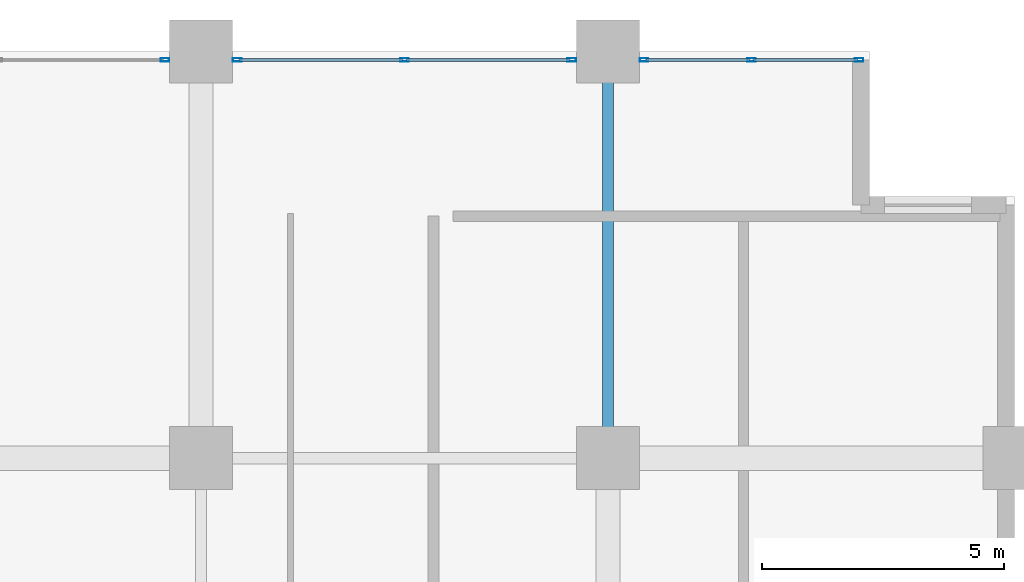
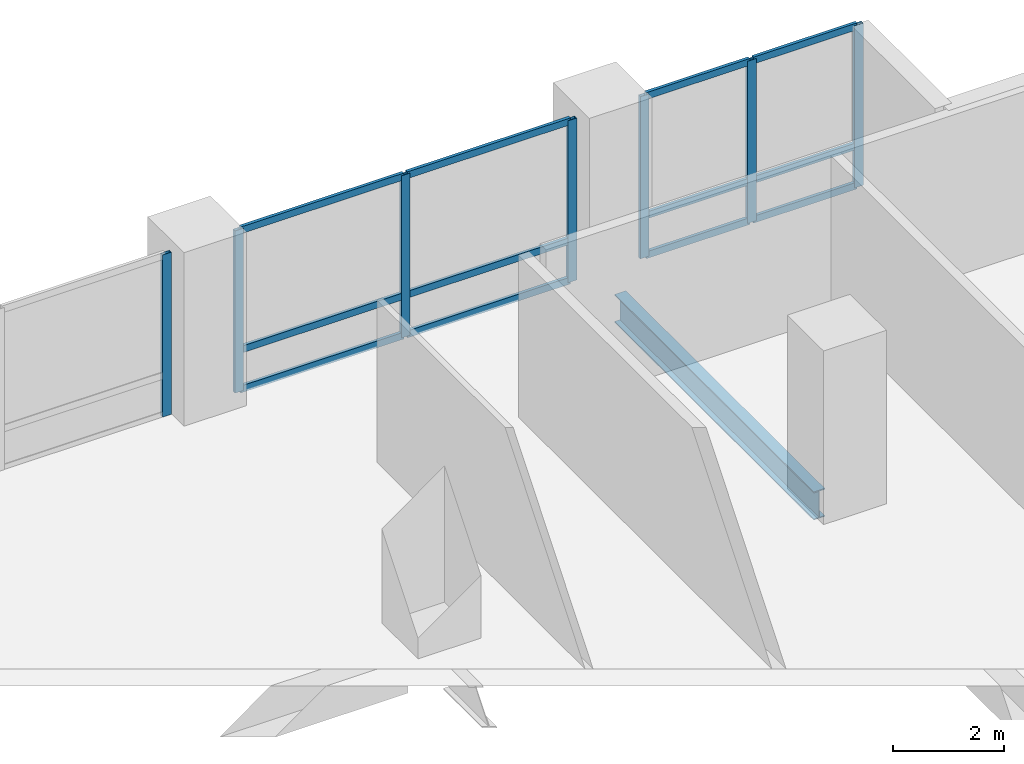
# One storey, part 5 of 21: 19 members, 1 beam, 3 elements without a shape of their own.
"""IFC4 building model written with IfcOpenShell, lengths in metres."""

from ifc_helpers import new_model, si_unit, direction, frame, origin, origin_2d, place, context, subcontext, project, spatial, hollow_rectangle, i_section, extrude, material, layer, layer_set, material_profile, profile_set, type_object, element, aggregate, save


model = new_model("IFC4")

# Units and contexts
model_context = context("Model", 3, precision=1e-05, world=origin(), true_north=direction((0.0, 1.0)))
body_context = subcontext(model_context, "Body", "Model", "MODEL_VIEW")
ifc_project = project(units=[si_unit("LENGTHUNIT", "METRE"), si_unit("AREAUNIT", "SQUARE_METRE"), si_unit("VOLUMEUNIT", "CUBIC_METRE"), si_unit("PLANEANGLEUNIT", "RADIAN"), si_unit("MASSUNIT", "GRAM", prefix="KILO")], contexts=[model_context])

# Site, building, storey
site_placement = place(None, origin())
site = spatial("IfcSite", under=ifc_project, at=site_placement, CompositionType="ELEMENT")
building_placement = place(site_placement, origin())
building = spatial("IfcBuilding", under=site, at=building_placement, Name="Koriwani Terraces Tower", CompositionType="ELEMENT")
storey_placement = place(building_placement, frame((0.0, 0.0, 111.39990234375)))
storey = spatial("IfcBuildingStorey", under=building, at=storey_placement, Name="L26", CompositionType="ELEMENT", Elevation=111.39990234375)

# Curtain wall, member
ifc_material_1 = material(Name="Anodised Bronze Aluminium", Category="aluminium")
ifc_layer = layer(ifc_material_1, 0.179931640625, Name="Anodised Bronze Aluminium")
ifc_layer_set = layer_set([ifc_layer], Name="Anodised Bronze Aluminium")
curtain_wall_type = type_object("IfcCurtainWallType", Name="CW_HOTEL_ZONE2", PredefinedType="NOTDEFINED", material=ifc_layer_set)
curtain_wall_1_placement = place(storey_placement, origin())
curtain_wall_1 = element("IfcCurtainWall", 1, at=curtain_wall_1_placement, inside=storey, type_object=curtain_wall_type, Name="L26 Unitised Curtain Wall (N_TIP) Bay 2", PredefinedType="NOTDEFINED")
ifc_material_profile_1 = material_profile(ifc_material_1, hollow_rectangle(XDim=0.074951171875, YDim=0.179931640625, WallThickness=0.006103515625, at=origin_2d()), Name="Anodised Bronze Aluminium", Category="LoadBearing")
ifc_profile_set_1 = profile_set([ifc_material_profile_1], Name="Anodised Bronze Aluminium")
member_type_1 = type_object("IfcMemberType", Name="CW_MULLION_180X75", PredefinedType="MULLION", material=ifc_profile_set_1)
member_1_placement = place(storey_placement, frame((16.052490234375, 92.22509765625, 0.0), z_axis=(0.0, 0.0, 1.0), x_axis=(0.0, 1.0, 0.0)))
member_1 = element("IfcMember", 2, at=member_1_placement, type_object=member_type_1, Name="CW-Z2 mullion 3", PredefinedType="MULLION", context=body_context, shape_type="SweptSolid", body=[
    extrude(hollow_rectangle(XDim=0.074951171875, YDim=0.179931640625, WallThickness=0.006103515625, at=origin_2d()), origin(), (0.0, 0.0, 1.0), 3.550048828125),
])
aggregate(curtain_wall_1, [member_1])

# Curtain wall, members
curtain_wall_2_placement = place(storey_placement, origin())
curtain_wall_2 = element("IfcCurtainWall", 3, at=curtain_wall_2_placement, inside=storey, type_object=curtain_wall_type, Name="L26 Unitised Curtain Wall (N_TIP) Bay 3", PredefinedType="NOTDEFINED")
member_2_placement = place(storey_placement, frame((17.547607421875, 92.22509765625, 0.0), z_axis=(0.0, 0.0, 1.0), x_axis=(0.0, 1.0, 0.0)))
member_2 = element("IfcMember", 4, at=member_2_placement, type_object=member_type_1, Name="CW-Z2 mullion 1", PredefinedType="MULLION", context=body_context, shape_type="SweptSolid", body=[
    extrude(hollow_rectangle(XDim=0.074951171875, YDim=0.179931640625, WallThickness=0.006103515625, at=origin_2d()), origin(), (0.0, 0.0, 1.0), 3.550048828125),
])
member_3_placement = place(storey_placement, frame((21.0, 92.22509765625, 0.0), z_axis=(0.0, 0.0, 1.0), x_axis=(0.0, 1.0, 0.0)))
member_3 = element("IfcMember", 5, at=member_3_placement, type_object=member_type_1, Name="CW-Z2 mullion 2", PredefinedType="MULLION", context=body_context, shape_type="SweptSolid", body=[
    extrude(hollow_rectangle(XDim=0.074951171875, YDim=0.179931640625, WallThickness=0.006103515625, at=origin_2d()), origin(), (0.0, 0.0, 1.0), 3.550048828125),
])
member_4_placement = place(storey_placement, frame((24.452392578125, 92.22509765625, 0.0), z_axis=(0.0, 0.0, 1.0), x_axis=(0.0, 1.0, 0.0)))
member_4 = element("IfcMember", 6, at=member_4_placement, type_object=member_type_1, Name="CW-Z2 mullion 3", PredefinedType="MULLION", context=body_context, shape_type="SweptSolid", body=[
    extrude(hollow_rectangle(XDim=0.074951171875, YDim=0.179931640625, WallThickness=0.006103515625, at=origin_2d()), origin(), (0.0, 0.0, 1.0), 3.550048828125),
])

curtain_wall_3_placement = place(storey_placement, origin())
curtain_wall_3 = element("IfcCurtainWall", 7, at=curtain_wall_3_placement, inside=storey, type_object=curtain_wall_type, Name="L26 Unitised Curtain Wall (N_TIP) Bay 4", PredefinedType="NOTDEFINED")
member_5_placement = place(storey_placement, frame((25.947509765625, 92.22509765625, 0.0), z_axis=(0.0, 0.0, 1.0), x_axis=(0.0, 1.0, 0.0)))
member_5 = element("IfcMember", 8, at=member_5_placement, type_object=member_type_1, Name="CW-Z2 mullion 1", PredefinedType="MULLION", context=body_context, shape_type="SweptSolid", body=[
    extrude(hollow_rectangle(XDim=0.074951171875, YDim=0.179931640625, WallThickness=0.006103515625, at=origin_2d()), origin(), (0.0, 0.0, 1.0), 3.550048828125),
])
member_6_placement = place(storey_placement, frame((28.16748046875, 92.22509765625, 0.0), z_axis=(0.0, 0.0, 1.0), x_axis=(0.0, 1.0, 0.0)))
member_6 = element("IfcMember", 9, at=member_6_placement, type_object=member_type_1, Name="CW-Z2 mullion 2", PredefinedType="MULLION", context=body_context, shape_type="SweptSolid", body=[
    extrude(hollow_rectangle(XDim=0.074951171875, YDim=0.179931640625, WallThickness=0.006103515625, at=origin_2d()), origin(), (0.0, 0.0, 1.0), 3.550048828125),
])
member_7_placement = place(storey_placement, frame((30.387451171875, 92.22509765625, 0.0), z_axis=(0.0, 0.0, 1.0), x_axis=(0.0, 1.0, 0.0)))
member_7 = element("IfcMember", 10, at=member_7_placement, type_object=member_type_1, Name="CW-Z2 mullion 3", PredefinedType="MULLION", context=body_context, shape_type="SweptSolid", body=[
    extrude(hollow_rectangle(XDim=0.074951171875, YDim=0.179931640625, WallThickness=0.006103515625, at=origin_2d()), origin(), (0.0, 0.0, 1.0), 3.550048828125),
])

# Member
ifc_material_profile_2 = material_profile(ifc_material_1, hollow_rectangle(XDim=0.06494140625, YDim=0.14990234375, WallThickness=0.0048828125, at=origin_2d()), Name="Anodised Bronze Aluminium", Category="LoadBearing")
ifc_profile_set_2 = profile_set([ifc_material_profile_2], Name="Anodised Bronze Aluminium")
member_type_2 = type_object("IfcMemberType", Name="CW_TRANSOM_150X65", PredefinedType="USERDEFINED", material=ifc_profile_set_2)
member_8_placement = place(storey_placement, frame((17.5849609375, 92.22509765625, 0.03271484375), z_axis=(1.0, 0.0, 0.0), x_axis=(0.0, 1.0, 0.0)))
member_8 = element("IfcMember", 11, at=member_8_placement, type_object=member_type_2, Name="CW-Z2 transom 1.1", ObjectType="TRANSOM", PredefinedType="USERDEFINED", context=body_context, shape_type="SweptSolid", body=[
    extrude(hollow_rectangle(XDim=0.06494140625, YDim=0.14990234375, WallThickness=0.0048828125, at=origin_2d()), origin(), (0.0, 0.0, 1.0), 3.37744140625),
])

member_9_placement = place(storey_placement, frame((17.5849609375, 92.22509765625, 0.900146484375), z_axis=(1.0, 0.0, 0.0), x_axis=(0.0, 1.0, 0.0)))
member_9 = element("IfcMember", 12, at=member_9_placement, type_object=member_type_2, Name="CW-Z2 transom 1.2", ObjectType="TRANSOM", PredefinedType="USERDEFINED", context=body_context, shape_type="SweptSolid", body=[
    extrude(hollow_rectangle(XDim=0.06494140625, YDim=0.14990234375, WallThickness=0.0048828125, at=origin_2d()), origin(), (0.0, 0.0, 1.0), 3.37744140625),
])

member_10_placement = place(storey_placement, frame((17.5849609375, 92.22509765625, 3.517578125), z_axis=(1.0, 0.0, 0.0), x_axis=(0.0, 1.0, 0.0)))
member_10 = element("IfcMember", 13, at=member_10_placement, type_object=member_type_2, Name="CW-Z2 transom 1.3", ObjectType="TRANSOM", PredefinedType="USERDEFINED", context=body_context, shape_type="SweptSolid", body=[
    extrude(hollow_rectangle(XDim=0.06494140625, YDim=0.14990234375, WallThickness=0.0048828125, at=origin_2d()), origin(), (0.0, 0.0, 1.0), 3.37744140625),
])

member_11_placement = place(storey_placement, frame((21.03759765625, 92.22509765625, 0.03271484375), z_axis=(1.0, 0.0, 0.0), x_axis=(0.0, 1.0, 0.0)))
member_11 = element("IfcMember", 14, at=member_11_placement, type_object=member_type_2, Name="CW-Z2 transom 2.1", ObjectType="TRANSOM", PredefinedType="USERDEFINED", context=body_context, shape_type="SweptSolid", body=[
    extrude(hollow_rectangle(XDim=0.06494140625, YDim=0.14990234375, WallThickness=0.0048828125, at=origin_2d()), origin(), (0.0, 0.0, 1.0), 3.37744140625),
])

member_12_placement = place(storey_placement, frame((21.03759765625, 92.22509765625, 0.900146484375), z_axis=(1.0, 0.0, 0.0), x_axis=(0.0, 1.0, 0.0)))
member_12 = element("IfcMember", 15, at=member_12_placement, type_object=member_type_2, Name="CW-Z2 transom 2.2", ObjectType="TRANSOM", PredefinedType="USERDEFINED", context=body_context, shape_type="SweptSolid", body=[
    extrude(hollow_rectangle(XDim=0.06494140625, YDim=0.14990234375, WallThickness=0.0048828125, at=origin_2d()), origin(), (0.0, 0.0, 1.0), 3.37744140625),
])

member_13_placement = place(storey_placement, frame((21.03759765625, 92.22509765625, 3.517578125), z_axis=(1.0, 0.0, 0.0), x_axis=(0.0, 1.0, 0.0)))
member_13 = element("IfcMember", 16, at=member_13_placement, type_object=member_type_2, Name="CW-Z2 transom 2.3", ObjectType="TRANSOM", PredefinedType="USERDEFINED", context=body_context, shape_type="SweptSolid", body=[
    extrude(hollow_rectangle(XDim=0.06494140625, YDim=0.14990234375, WallThickness=0.0048828125, at=origin_2d()), origin(), (0.0, 0.0, 1.0), 3.37744140625),
])

aggregate(curtain_wall_2, [member_2, member_3, member_4, member_8, member_9, member_10, member_11, member_12, member_13])

member_14_placement = place(storey_placement, frame((25.985107421875, 92.22509765625, 0.03271484375), z_axis=(1.0, 0.0, 0.0), x_axis=(0.0, 1.0, 0.0)))
member_14 = element("IfcMember", 17, at=member_14_placement, type_object=member_type_2, Name="CW-Z2 transom 1.1", ObjectType="TRANSOM", PredefinedType="USERDEFINED", context=body_context, shape_type="SweptSolid", body=[
    extrude(hollow_rectangle(XDim=0.06494140625, YDim=0.14990234375, WallThickness=0.0048828125, at=origin_2d()), origin(), (0.0, 0.0, 1.0), 2.144775390625),
])

member_15_placement = place(storey_placement, frame((25.985107421875, 92.22509765625, 0.900146484375), z_axis=(1.0, 0.0, 0.0), x_axis=(0.0, 1.0, 0.0)))
member_15 = element("IfcMember", 18, at=member_15_placement, type_object=member_type_2, Name="CW-Z2 transom 1.2", ObjectType="TRANSOM", PredefinedType="USERDEFINED", context=body_context, shape_type="SweptSolid", body=[
    extrude(hollow_rectangle(XDim=0.06494140625, YDim=0.14990234375, WallThickness=0.0048828125, at=origin_2d()), origin(), (0.0, 0.0, 1.0), 2.144775390625),
])

member_16_placement = place(storey_placement, frame((25.985107421875, 92.22509765625, 3.517578125), z_axis=(1.0, 0.0, 0.0), x_axis=(0.0, 1.0, 0.0)))
member_16 = element("IfcMember", 19, at=member_16_placement, type_object=member_type_2, Name="CW-Z2 transom 1.3", ObjectType="TRANSOM", PredefinedType="USERDEFINED", context=body_context, shape_type="SweptSolid", body=[
    extrude(hollow_rectangle(XDim=0.06494140625, YDim=0.14990234375, WallThickness=0.0048828125, at=origin_2d()), origin(), (0.0, 0.0, 1.0), 2.144775390625),
])

member_17_placement = place(storey_placement, frame((28.205078125, 92.22509765625, 0.03271484375), z_axis=(1.0, 0.0, 0.0), x_axis=(0.0, 1.0, 0.0)))
member_17 = element("IfcMember", 20, at=member_17_placement, type_object=member_type_2, Name="CW-Z2 transom 2.1", ObjectType="TRANSOM", PredefinedType="USERDEFINED", context=body_context, shape_type="SweptSolid", body=[
    extrude(hollow_rectangle(XDim=0.06494140625, YDim=0.14990234375, WallThickness=0.0048828125, at=origin_2d()), origin(), (0.0, 0.0, 1.0), 2.14501953125),
])

member_18_placement = place(storey_placement, frame((28.205078125, 92.22509765625, 0.900146484375), z_axis=(1.0, 0.0, 0.0), x_axis=(0.0, 1.0, 0.0)))
member_18 = element("IfcMember", 21, at=member_18_placement, type_object=member_type_2, Name="CW-Z2 transom 2.2", ObjectType="TRANSOM", PredefinedType="USERDEFINED", context=body_context, shape_type="SweptSolid", body=[
    extrude(hollow_rectangle(XDim=0.06494140625, YDim=0.14990234375, WallThickness=0.0048828125, at=origin_2d()), origin(), (0.0, 0.0, 1.0), 2.14501953125),
])

member_19_placement = place(storey_placement, frame((28.205078125, 92.22509765625, 3.517578125), z_axis=(1.0, 0.0, 0.0), x_axis=(0.0, 1.0, 0.0)))
member_19 = element("IfcMember", 22, at=member_19_placement, type_object=member_type_2, Name="CW-Z2 transom 2.3", ObjectType="TRANSOM", PredefinedType="USERDEFINED", context=body_context, shape_type="SweptSolid", body=[
    extrude(hollow_rectangle(XDim=0.06494140625, YDim=0.14990234375, WallThickness=0.0048828125, at=origin_2d()), origin(), (0.0, 0.0, 1.0), 2.14501953125),
])

aggregate(curtain_wall_3, [member_5, member_6, member_7, member_14, member_15, member_16, member_17, member_18, member_19])

# Beam
ifc_material_2 = material(Name="Steel ASTM A572 Grade 50", Category="steel")
ifc_material_profile_3 = material_profile(ifc_material_2, i_section(OverallWidth=0.23095703125, OverallDepth=0.616943359375, WebThickness=0.015380859375, FlangeThickness=0.0244140625, at=origin_2d()), Name="Steel ASTM A572 Grade 50", Category="LoadBearing")
ifc_profile_set_3 = profile_set([ifc_material_profile_3], Name="Steel ASTM A572 Grade 50")
beam_type = type_object("IfcBeamType", Name="STEEL_BEAM_W610X195", PredefinedType="BEAM", material=ifc_profile_set_3)
beam_placement = place(storey_placement, frame((25.199951171875, 84.6298828125, -0.558349609375), z_axis=(0.0, 1.0, 0.0), x_axis=(-1.0, 0.0, 0.0)))
element("IfcBeam", 23, at=beam_placement, inside=storey, type_object=beam_type, Name="L26 Grid Beam 4 (84.0-92.4m)", PredefinedType="BEAM", context=body_context, shape_type="SweptSolid", body=[
    extrude(i_section(OverallWidth=0.23095703125, OverallDepth=0.616943359375, WebThickness=0.015380859375, FlangeThickness=0.0244140625, at=origin_2d()), origin(), (0.0, 0.0, 1.0), 7.14013671875),
])

save(model, "model.ifc")
